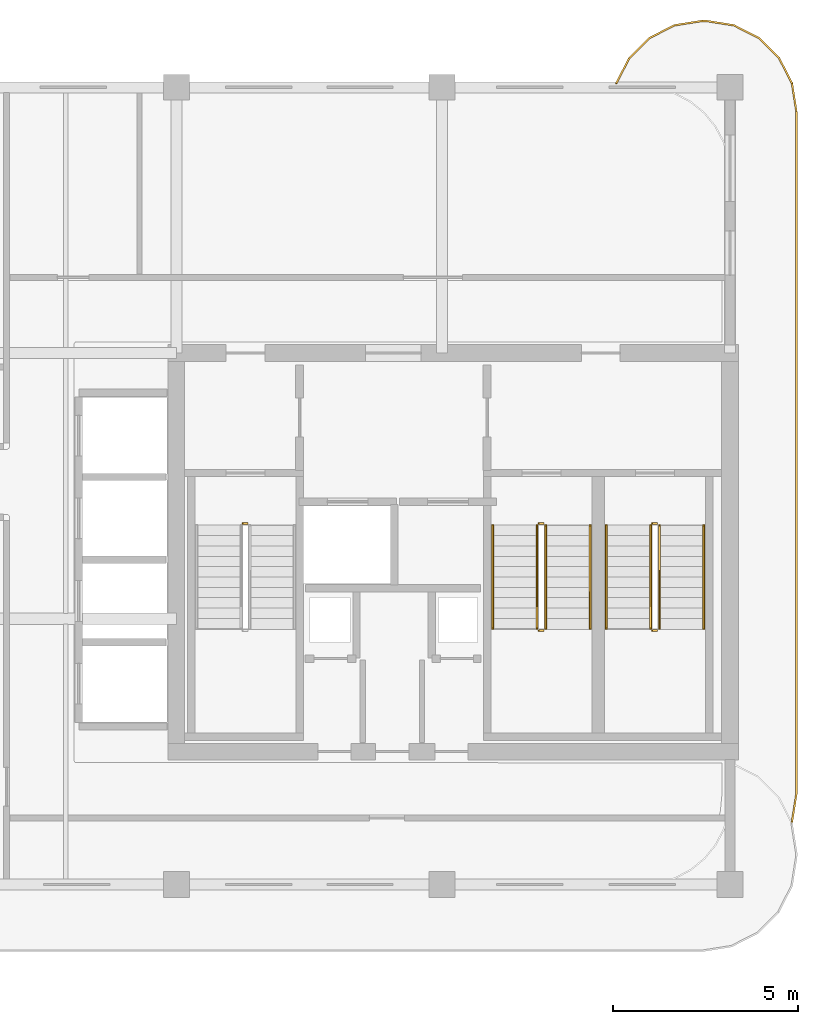
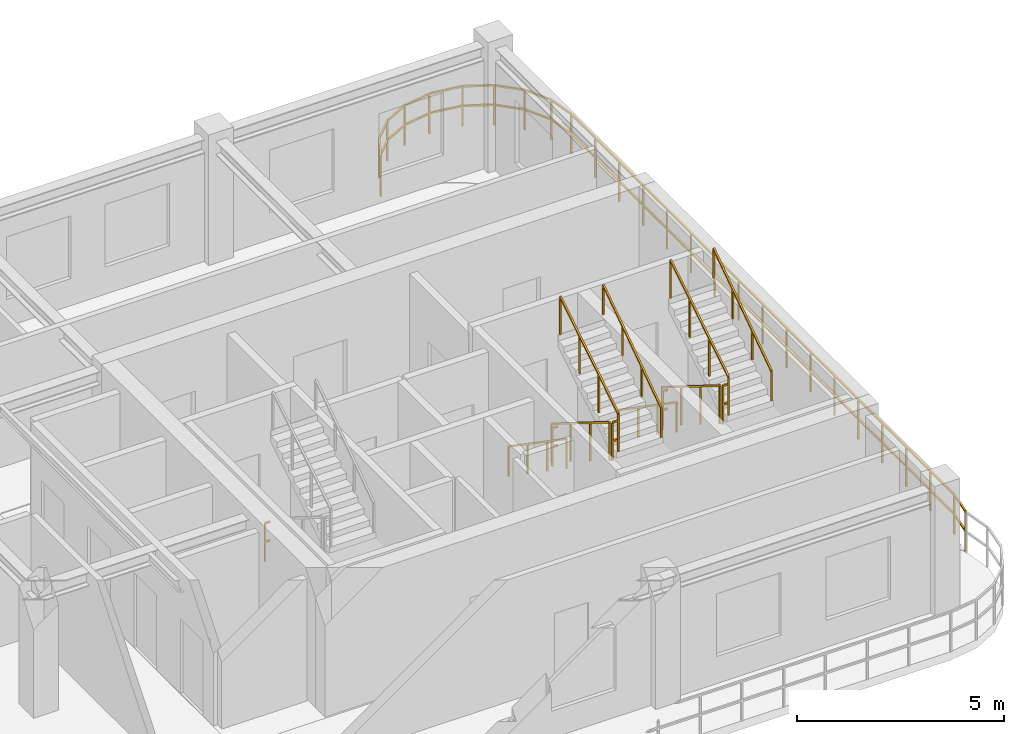
# One storey, part 7 of 7: 14 railings.
"""IFC4 building model written with IfcOpenShell, lengths in metres."""

from ifc_helpers import new_model, si_unit, derived_unit, direction, frame, origin, origin_2d, place, context, subcontext, project, spatial, rectangle, extrude, material, type_object, element, save


model = new_model("IFC4")

# Units and contexts
model_context = context("Model", 3, precision=1e-05, world=origin(), true_north=direction((0.0, 1.0)))
body_context = subcontext(model_context, "Body", "Model", "MODEL_VIEW")
ifc_project = project(units=[si_unit("LENGTHUNIT", "METRE"), si_unit("AREAUNIT", "SQUARE_METRE"), si_unit("VOLUMEUNIT", "CUBIC_METRE"), si_unit("PLANEANGLEUNIT", "RADIAN"), si_unit("MASSUNIT", "GRAM", prefix="KILO"), si_unit("THERMODYNAMICTEMPERATUREUNIT", "KELVIN"), si_unit("POWERUNIT", "WATT"), derived_unit("THERMALTRANSMITTANCEUNIT", [(si_unit("POWERUNIT", "WATT"), 1), (si_unit("AREAUNIT", "SQUARE_METRE"), -1), (si_unit("THERMODYNAMICTEMPERATUREUNIT", "KELVIN"), -1)])], contexts=[model_context])

# Site, building, storey
site_placement = place(None, origin())
site = spatial("IfcSite", under=ifc_project, at=site_placement, CompositionType="ELEMENT")
building_placement = place(site_placement, origin())
building = spatial("IfcBuilding", under=site, at=building_placement, Name="Zahravan Archway Hotel and Residences", CompositionType="ELEMENT")
storey_placement = place(building_placement, frame((0.0, 0.0, 282.75)))
storey = spatial("IfcBuildingStorey", under=building, at=storey_placement, Name="L71", CompositionType="ELEMENT", Elevation=282.75)

# Railings
ifc_material_1 = material(Name="Bronze & Laminated Glass Balustrade", Category="glass")
railing_type_1 = type_object("IfcRailingType", Name="RL-BAL-1200", PredefinedType="BALUSTRADE", material=ifc_material_1)
railing_1_placement = place(storey_placement, frame((46.719970703125, 21.70703125, 0.0)))
element("IfcRailing", 1, at=railing_1_placement, inside=storey, type_object=railing_type_1, Name="L71 Balustrade RL-SLB-BAL-L71-EA-1", PredefinedType="BALUSTRADE", context=body_context, shape_type="SweptSolid", body=[
    extrude(rectangle(XDim=0.048095703125, YDim=0.048095703125, at=origin_2d()), frame((0.0, 0.0, 1.17578125), z_axis=(0.453825591531, 0.891090529897, 0.0), x_axis=(-0.891090529897, 0.453825591531, 0.0)), (0.0, 0.0, 1.0), 0.7666015625),
    extrude(rectangle(XDim=0.048095703125, YDim=0.048095703125, at=origin_2d()), frame((0.0, 0.0, 0.60009765625), z_axis=(0.453825591531, 0.891090529897, 0.0), x_axis=(-0.891090529897, 0.453825591531, 0.0)), (0.0, 0.0, 1.0), 0.7666015625),
    extrude(rectangle(XDim=0.048095703125, YDim=0.048095703125, at=origin_2d()), frame((0.347900390625, 0.68310546875, 1.17578125), z_axis=(0.707106781187, 0.707106781187, 0.0), x_axis=(-0.707106781187, 0.707106781187, 0.0)), (0.0, 0.0, 1.0), 0.7666015625),
    extrude(rectangle(XDim=0.048095703125, YDim=0.048095703125, at=origin_2d()), frame((0.347900390625, 0.68310546875, 0.60009765625), z_axis=(0.707106781187, 0.707106781187, 0.0), x_axis=(-0.707106781187, 0.707106781187, 0.0)), (0.0, 0.0, 1.0), 0.7666015625),
    extrude(rectangle(XDim=0.048095703125, YDim=0.048095703125, at=origin_2d()), frame((0.889892578125, 1.22509765625, 1.17578125), z_axis=(0.891090529897, 0.453825591531, 0.0), x_axis=(-0.453825591531, 0.891090529897, 0.0)), (0.0, 0.0, 1.0), 0.7666015625),
    extrude(rectangle(XDim=0.048095703125, YDim=0.048095703125, at=origin_2d()), frame((0.889892578125, 1.22509765625, 0.60009765625), z_axis=(0.891090529897, 0.453825591531, 0.0), x_axis=(-0.453825591531, 0.891090529897, 0.0)), (0.0, 0.0, 1.0), 0.7666015625),
    extrude(rectangle(XDim=0.048095703125, YDim=0.048095703125, at=origin_2d()), frame((1.572998046875, 1.572998046875, 1.17578125), z_axis=(0.987695728695, 0.156387811283, 0.0), x_axis=(-0.156387811283, 0.987695728695, 0.0)), (0.0, 0.0, 1.0), 0.7666015625),
    extrude(rectangle(XDim=0.048095703125, YDim=0.048095703125, at=origin_2d()), frame((1.572998046875, 1.572998046875, 0.60009765625), z_axis=(0.987695728695, 0.156387811283, 0.0), x_axis=(-0.156387811283, 0.987695728695, 0.0)), (0.0, 0.0, 1.0), 0.7666015625),
    extrude(rectangle(XDim=0.048095703125, YDim=0.048095703125, at=origin_2d()), frame((2.330078125, 1.69287109375, 1.17578125), z_axis=(1.0, 0.0, 0.0), x_axis=(0.0, 1.0, 0.0)), (0.0, 0.0, 1.0), 0.099853515625),
    extrude(rectangle(XDim=0.048095703125, YDim=0.048095703125, at=origin_2d()), frame((2.330078125, 1.69287109375, 0.60009765625), z_axis=(1.0, 0.0, 0.0), x_axis=(0.0, 1.0, 0.0)), (0.0, 0.0, 1.0), 0.099853515625),
    extrude(rectangle(XDim=0.048095703125, YDim=0.048095703125, at=origin_2d()), frame((2.429931640625, 1.69287109375, 1.17578125), z_axis=(0.987695728695, -0.156387811283, 0.0), x_axis=(0.156387811283, 0.987695728695, 0.0)), (0.0, 0.0, 1.0), 0.7666015625),
    extrude(rectangle(XDim=0.048095703125, YDim=0.048095703125, at=origin_2d()), frame((2.429931640625, 1.69287109375, 0.60009765625), z_axis=(0.987695728695, -0.156387811283, 0.0), x_axis=(0.156387811283, 0.987695728695, 0.0)), (0.0, 0.0, 1.0), 0.7666015625),
    extrude(rectangle(XDim=0.048095703125, YDim=0.048095703125, at=origin_2d()), frame((3.18701171875, 1.572998046875, 1.17578125), z_axis=(0.891090529897, -0.453825591531, 0.0), x_axis=(0.453825591531, 0.891090529897, 0.0)), (0.0, 0.0, 1.0), 0.7666015625),
    extrude(rectangle(XDim=0.048095703125, YDim=0.048095703125, at=origin_2d()), frame((3.18701171875, 1.572998046875, 0.60009765625), z_axis=(0.891090529897, -0.453825591531, 0.0), x_axis=(0.453825591531, 0.891090529897, 0.0)), (0.0, 0.0, 1.0), 0.7666015625),
    extrude(rectangle(XDim=0.048095703125, YDim=0.048095703125, at=origin_2d()), frame((3.8701171875, 1.22509765625, 1.17578125), z_axis=(0.707106781187, -0.707106781187, 0.0), x_axis=(0.707106781187, 0.707106781187, 0.0)), (0.0, 0.0, 1.0), 0.7666015625),
    extrude(rectangle(XDim=0.048095703125, YDim=0.048095703125, at=origin_2d()), frame((3.8701171875, 1.22509765625, 0.60009765625), z_axis=(0.707106781187, -0.707106781187, 0.0), x_axis=(0.707106781187, 0.707106781187, 0.0)), (0.0, 0.0, 1.0), 0.7666015625),
    extrude(rectangle(XDim=0.048095703125, YDim=0.048095703125, at=origin_2d()), frame((4.412109375, 0.68310546875, 1.17578125), z_axis=(0.453825591531, -0.891090529897, 0.0), x_axis=(0.891090529897, 0.453825591531, 0.0)), (0.0, 0.0, 1.0), 0.7666015625),
    extrude(rectangle(XDim=0.048095703125, YDim=0.048095703125, at=origin_2d()), frame((4.412109375, 0.68310546875, 0.60009765625), z_axis=(0.453825591531, -0.891090529897, 0.0), x_axis=(0.891090529897, 0.453825591531, 0.0)), (0.0, 0.0, 1.0), 0.7666015625),
    extrude(rectangle(XDim=0.048095703125, YDim=0.048095703125, at=origin_2d()), frame((4.760009765625, 0.0, 1.17578125), z_axis=(0.156698507018, -0.987646484274, 0.0), x_axis=(0.987646484274, 0.156698507018, 0.0)), (0.0, 0.0, 1.0), 0.7666015625),
    extrude(rectangle(XDim=0.048095703125, YDim=0.048095703125, at=origin_2d()), frame((4.760009765625, 0.0, 0.60009765625), z_axis=(0.156698507018, -0.987646484274, 0.0), x_axis=(0.987646484274, 0.156698507018, 0.0)), (0.0, 0.0, 1.0), 0.7666015625),
    extrude(rectangle(XDim=0.048095703125, YDim=0.048095703125, at=origin_2d()), frame((4.880126953125, -0.757080078125, 1.17578125), z_axis=(0.0, -1.0, 0.0), x_axis=(1.0, 0.0, 0.0)), (0.0, 0.0, 1.0), 18.5),
    extrude(rectangle(XDim=0.048095703125, YDim=0.048095703125, at=origin_2d()), frame((4.880126953125, -0.757080078125, 0.60009765625), z_axis=(0.0, -1.0, 0.0), x_axis=(1.0, 0.0, 0.0)), (0.0, 0.0, 1.0), 18.5),
    extrude(rectangle(XDim=0.048095703125, YDim=0.048095703125, at=origin_2d()), frame((4.880126953125, -19.257080078125, 1.17578125), z_axis=(-0.156698507018, -0.987646484274, 0.0), x_axis=(0.987646484274, -0.156698507018, 0.0)), (0.0, 0.0, 1.0), 0.7666015625),
    extrude(rectangle(XDim=0.048095703125, YDim=0.048095703125, at=origin_2d()), frame((4.880126953125, -19.257080078125, 0.60009765625), z_axis=(-0.156698507018, -0.987646484274, 0.0), x_axis=(0.987646484274, -0.156698507018, 0.0)), (0.0, 0.0, 1.0), 0.7666015625),
    extrude(rectangle(XDim=0.0419921875, YDim=0.0419921875, at=origin_2d()), origin(), (0.0, 0.0, 1.0), 1.15185546875),
    extrude(rectangle(XDim=0.0419921875, YDim=0.0419921875, at=origin_2d()), frame((0.347900390625, 0.68310546875, 0.0)), (0.0, 0.0, 1.0), 1.15185546875),
    extrude(rectangle(XDim=0.0419921875, YDim=0.0419921875, at=origin_2d()), frame((0.889892578125, 1.22509765625, 0.0)), (0.0, 0.0, 1.0), 1.15185546875),
    extrude(rectangle(XDim=0.0419921875, YDim=0.0419921875, at=origin_2d()), frame((1.572998046875, 1.572998046875, 0.0)), (0.0, 0.0, 1.0), 1.15185546875),
    extrude(rectangle(XDim=0.0419921875, YDim=0.0419921875, at=origin_2d()), frame((2.330078125, 1.69287109375, 0.0)), (0.0, 0.0, 1.0), 1.15185546875),
    extrude(rectangle(XDim=0.0419921875, YDim=0.0419921875, at=origin_2d()), frame((3.18701171875, 1.572998046875, 0.0)), (0.0, 0.0, 1.0), 1.15185546875),
    extrude(rectangle(XDim=0.0419921875, YDim=0.0419921875, at=origin_2d()), frame((3.8701171875, 1.22509765625, 0.0)), (0.0, 0.0, 1.0), 1.15185546875),
    extrude(rectangle(XDim=0.0419921875, YDim=0.0419921875, at=origin_2d()), frame((4.412109375, 0.68310546875, 0.0)), (0.0, 0.0, 1.0), 1.15185546875),
    extrude(rectangle(XDim=0.0419921875, YDim=0.0419921875, at=origin_2d()), frame((4.760009765625, 0.0, 0.0)), (0.0, 0.0, 1.0), 1.15185546875),
    extrude(rectangle(XDim=0.0419921875, YDim=0.0419921875, at=origin_2d()), frame((4.880126953125, -0.757080078125, 0.0)), (0.0, 0.0, 1.0), 1.15185546875),
    extrude(rectangle(XDim=0.0419921875, YDim=0.0419921875, at=origin_2d()), frame((4.880126953125, -1.913330078125, 0.0)), (0.0, 0.0, 1.0), 1.15185546875),
    extrude(rectangle(XDim=0.0419921875, YDim=0.0419921875, at=origin_2d()), frame((4.880126953125, -3.069580078125, 0.0)), (0.0, 0.0, 1.0), 1.15185546875),
    extrude(rectangle(XDim=0.0419921875, YDim=0.0419921875, at=origin_2d()), frame((4.880126953125, -4.225830078125, 0.0)), (0.0, 0.0, 1.0), 1.15185546875),
    extrude(rectangle(XDim=0.0419921875, YDim=0.0419921875, at=origin_2d()), frame((4.880126953125, -5.382080078125, 0.0)), (0.0, 0.0, 1.0), 1.15185546875),
    extrude(rectangle(XDim=0.0419921875, YDim=0.0419921875, at=origin_2d()), frame((4.880126953125, -6.538330078125, 0.0)), (0.0, 0.0, 1.0), 1.15185546875),
    extrude(rectangle(XDim=0.0419921875, YDim=0.0419921875, at=origin_2d()), frame((4.880126953125, -7.694580078125, 0.0)), (0.0, 0.0, 1.0), 1.15185546875),
    extrude(rectangle(XDim=0.0419921875, YDim=0.0419921875, at=origin_2d()), frame((4.880126953125, -8.850830078125, 0.0)), (0.0, 0.0, 1.0), 1.15185546875),
    extrude(rectangle(XDim=0.0419921875, YDim=0.0419921875, at=origin_2d()), frame((4.880126953125, -10.007080078125, 0.0)), (0.0, 0.0, 1.0), 1.15185546875),
    extrude(rectangle(XDim=0.0419921875, YDim=0.0419921875, at=origin_2d()), frame((4.880126953125, -11.163330078125, 0.0)), (0.0, 0.0, 1.0), 1.15185546875),
    extrude(rectangle(XDim=0.0419921875, YDim=0.0419921875, at=origin_2d()), frame((4.880126953125, -12.319580078125, 0.0)), (0.0, 0.0, 1.0), 1.15185546875),
    extrude(rectangle(XDim=0.0419921875, YDim=0.0419921875, at=origin_2d()), frame((4.880126953125, -13.475830078125, 0.0)), (0.0, 0.0, 1.0), 1.15185546875),
    extrude(rectangle(XDim=0.0419921875, YDim=0.0419921875, at=origin_2d()), frame((4.880126953125, -14.632080078125, 0.0)), (0.0, 0.0, 1.0), 1.15185546875),
    extrude(rectangle(XDim=0.0419921875, YDim=0.0419921875, at=origin_2d()), frame((4.880126953125, -15.788330078125, 0.0)), (0.0, 0.0, 1.0), 1.15185546875),
    extrude(rectangle(XDim=0.0419921875, YDim=0.0419921875, at=origin_2d()), frame((4.880126953125, -16.944580078125, 0.0)), (0.0, 0.0, 1.0), 1.15185546875),
    extrude(rectangle(XDim=0.0419921875, YDim=0.0419921875, at=origin_2d()), frame((4.880126953125, -18.100830078125, 0.0)), (0.0, 0.0, 1.0), 1.15185546875),
    extrude(rectangle(XDim=0.0419921875, YDim=0.0419921875, at=origin_2d()), frame((4.880126953125, -19.257080078125, 0.0)), (0.0, 0.0, 1.0), 1.15185546875),
    extrude(rectangle(XDim=0.0419921875, YDim=0.0419921875, at=origin_2d()), frame((4.760009765625, -20.01416015625, 0.0)), (0.0, 0.0, 1.0), 1.15185546875),
])
ifc_material_2 = material(Name="Painted Tubular Steel", Category="steel")
railing_type_2 = type_object("IfcRailingType", Name="RL-STG-1150", PredefinedType="GUARDRAIL", material=ifc_material_2)
railing_2_placement = place(storey_placement, frame((36.60009765625, 9.780029296875, 0.0)))
element("IfcRailing", 2, at=railing_2_placement, inside=storey, type_object=railing_type_2, Name="L71 ST-A1 stair guard 4", PredefinedType="GUARDRAIL", context=body_context, shape_type="SweptSolid", body=[
    extrude(rectangle(XDim=0.048095703125, YDim=0.048095703125, at=origin_2d()), frame((0.0, 0.0, 1.1259765625), z_axis=(1.0, 0.0, 0.0), x_axis=(0.0, 1.0, 0.0)), (0.0, 0.0, 1.0), 0.139892578125),
    extrude(rectangle(XDim=0.048095703125, YDim=0.048095703125, at=origin_2d()), frame((0.0, 0.0, 0.574951171875), z_axis=(1.0, 0.0, 0.0), x_axis=(0.0, 1.0, 0.0)), (0.0, 0.0, 1.0), 0.139892578125),
    extrude(rectangle(XDim=0.0419921875, YDim=0.0419921875, at=origin_2d()), origin(), (0.0, 0.0, 1.0), 1.101806640625),
])
railing_3_placement = place(storey_placement, frame((44.570068359375, 9.72998046875, 0.175048828125)))
element("IfcRailing", 3, at=railing_3_placement, inside=storey, type_object=railing_type_2, Name="L71 ST-A2 stair guard 1", PredefinedType="GUARDRAIL", context=body_context, shape_type="SweptSolid", body=[
    extrude(rectangle(XDim=0.048095703125, YDim=0.048095703125, at=origin_2d()), frame((0.0, 0.0, 1.1259765625), z_axis=(0.0, -0.848002457836, 0.529992293815), x_axis=(1.0, 0.0, 0.0)), (0.0, 0.0, 1.0), 3.302001953125),
    extrude(rectangle(XDim=0.0419921875, YDim=0.0419921875, at=origin_2d()), origin(), (0.0, 0.0, 1.0), 1.101806640625),
    extrude(rectangle(XDim=0.0419921875, YDim=0.0419921875, at=origin_2d()), frame((0.0, -0.933349609375, 0.583251953125)), (0.0, 0.0, 1.0), 1.101806640625),
    extrude(rectangle(XDim=0.0419921875, YDim=0.0419921875, at=origin_2d()), frame((0.0, -1.86669921875, 1.166748046875)), (0.0, 0.0, 1.0), 1.101806640625),
    extrude(rectangle(XDim=0.0419921875, YDim=0.0419921875, at=origin_2d()), frame((0.0, -2.800048828125, 1.75)), (0.0, 0.0, 1.0), 1.101806640625),
])
railing_4_placement = place(storey_placement, frame((44.6201171875, 6.8798828125, 1.925048828125)))
element("IfcRailing", 4, at=railing_4_placement, inside=storey, type_object=railing_type_2, Name="L71 ST-A2 stair guard 2", PredefinedType="GUARDRAIL", context=body_context, shape_type="SweptSolid", body=[
    extrude(rectangle(XDim=0.048095703125, YDim=0.048095703125, at=origin_2d()), frame((0.0, 0.0, 1.1259765625), z_axis=(1.0, 0.0, 0.0), x_axis=(0.0, 1.0, 0.0)), (0.0, 0.0, 1.0), 0.139892578125),
    extrude(rectangle(XDim=0.048095703125, YDim=0.048095703125, at=origin_2d()), frame((0.0, 0.0, 0.574951171875), z_axis=(1.0, 0.0, 0.0), x_axis=(0.0, 1.0, 0.0)), (0.0, 0.0, 1.0), 0.139892578125),
    extrude(rectangle(XDim=0.0419921875, YDim=0.0419921875, at=origin_2d()), origin(), (0.0, 0.0, 1.0), 1.101806640625),
])
railing_5_placement = place(storey_placement, frame((44.81005859375, 6.929931640625, 2.10009765625)))
element("IfcRailing", 5, at=railing_5_placement, inside=storey, type_object=railing_type_2, Name="L71 ST-A2 stair guard 3", PredefinedType="GUARDRAIL", context=body_context, shape_type="SweptSolid", body=[
    extrude(rectangle(XDim=0.048095703125, YDim=0.048095703125, at=origin_2d()), frame((0.0, 0.0, 1.1259765625), z_axis=(0.0, 0.848002457836, 0.529992293815), x_axis=(-1.0, 0.0, 0.0)), (0.0, 0.0, 1.0), 3.302001953125),
    extrude(rectangle(XDim=0.0419921875, YDim=0.0419921875, at=origin_2d()), origin(), (0.0, 0.0, 1.0), 1.101806640625),
    extrude(rectangle(XDim=0.0419921875, YDim=0.0419921875, at=origin_2d()), frame((0.0, 0.933349609375, 0.583251953125)), (0.0, 0.0, 1.0), 1.101806640625),
    extrude(rectangle(XDim=0.0419921875, YDim=0.0419921875, at=origin_2d()), frame((0.0, 1.86669921875, 1.166748046875)), (0.0, 0.0, 1.0), 1.101806640625),
    extrude(rectangle(XDim=0.0419921875, YDim=0.0419921875, at=origin_2d()), frame((0.0, 2.800048828125, 1.75)), (0.0, 0.0, 1.0), 1.101806640625),
])
railing_6_placement = place(storey_placement, frame((44.6201171875, 9.780029296875, 0.0)))
element("IfcRailing", 6, at=railing_6_placement, inside=storey, type_object=railing_type_2, Name="L71 ST-A2 stair guard 4", PredefinedType="GUARDRAIL", context=body_context, shape_type="SweptSolid", body=[
    extrude(rectangle(XDim=0.048095703125, YDim=0.048095703125, at=origin_2d()), frame((0.0, 0.0, 1.1259765625), z_axis=(1.0, 0.0, 0.0), x_axis=(0.0, 1.0, 0.0)), (0.0, 0.0, 1.0), 0.139892578125),
    extrude(rectangle(XDim=0.048095703125, YDim=0.048095703125, at=origin_2d()), frame((0.0, 0.0, 0.574951171875), z_axis=(1.0, 0.0, 0.0), x_axis=(0.0, 1.0, 0.0)), (0.0, 0.0, 1.0), 0.139892578125),
    extrude(rectangle(XDim=0.0419921875, YDim=0.0419921875, at=origin_2d()), origin(), (0.0, 0.0, 1.0), 1.101806640625),
])
railing_7_placement = place(storey_placement, frame((47.64990234375, 9.72998046875, 0.175048828125)))
element("IfcRailing", 7, at=railing_7_placement, inside=storey, type_object=railing_type_2, Name="L71 ST-A3 stair guard 1", PredefinedType="GUARDRAIL", context=body_context, shape_type="SweptSolid", body=[
    extrude(rectangle(XDim=0.048095703125, YDim=0.048095703125, at=origin_2d()), frame((0.0, 0.0, 1.1259765625), z_axis=(0.0, -0.848002457836, 0.529992293815), x_axis=(1.0, 0.0, 0.0)), (0.0, 0.0, 1.0), 3.302001953125),
    extrude(rectangle(XDim=0.0419921875, YDim=0.0419921875, at=origin_2d()), origin(), (0.0, 0.0, 1.0), 1.101806640625),
    extrude(rectangle(XDim=0.0419921875, YDim=0.0419921875, at=origin_2d()), frame((0.0, -0.933349609375, 0.583251953125)), (0.0, 0.0, 1.0), 1.101806640625),
    extrude(rectangle(XDim=0.0419921875, YDim=0.0419921875, at=origin_2d()), frame((0.0, -1.86669921875, 1.166748046875)), (0.0, 0.0, 1.0), 1.101806640625),
    extrude(rectangle(XDim=0.0419921875, YDim=0.0419921875, at=origin_2d()), frame((0.0, -2.800048828125, 1.75)), (0.0, 0.0, 1.0), 1.101806640625),
])
railing_8_placement = place(storey_placement, frame((47.699951171875, 6.8798828125, 1.925048828125)))
element("IfcRailing", 8, at=railing_8_placement, inside=storey, type_object=railing_type_2, Name="L71 ST-A3 stair guard 2", PredefinedType="GUARDRAIL", context=body_context, shape_type="SweptSolid", body=[
    extrude(rectangle(XDim=0.048095703125, YDim=0.048095703125, at=origin_2d()), frame((0.0, 0.0, 1.1259765625), z_axis=(1.0, 0.0, 0.0), x_axis=(0.0, 1.0, 0.0)), (0.0, 0.0, 1.0), 0.14013671875),
    extrude(rectangle(XDim=0.048095703125, YDim=0.048095703125, at=origin_2d()), frame((0.0, 0.0, 0.574951171875), z_axis=(1.0, 0.0, 0.0), x_axis=(0.0, 1.0, 0.0)), (0.0, 0.0, 1.0), 0.14013671875),
    extrude(rectangle(XDim=0.0419921875, YDim=0.0419921875, at=origin_2d()), origin(), (0.0, 0.0, 1.0), 1.101806640625),
])
railing_9_placement = place(storey_placement, frame((47.889892578125, 6.929931640625, 2.10009765625)))
element("IfcRailing", 9, at=railing_9_placement, inside=storey, type_object=railing_type_2, Name="L71 ST-A3 stair guard 3", PredefinedType="GUARDRAIL", context=body_context, shape_type="SweptSolid", body=[
    extrude(rectangle(XDim=0.048095703125, YDim=0.048095703125, at=origin_2d()), frame((0.0, 0.0, 1.1259765625), z_axis=(0.0, 0.848002457836, 0.529992293815), x_axis=(-1.0, 0.0, 0.0)), (0.0, 0.0, 1.0), 3.302001953125),
    extrude(rectangle(XDim=0.0419921875, YDim=0.0419921875, at=origin_2d()), origin(), (0.0, 0.0, 1.0), 1.101806640625),
    extrude(rectangle(XDim=0.0419921875, YDim=0.0419921875, at=origin_2d()), frame((0.0, 0.933349609375, 0.583251953125)), (0.0, 0.0, 1.0), 1.101806640625),
    extrude(rectangle(XDim=0.0419921875, YDim=0.0419921875, at=origin_2d()), frame((0.0, 1.86669921875, 1.166748046875)), (0.0, 0.0, 1.0), 1.101806640625),
    extrude(rectangle(XDim=0.0419921875, YDim=0.0419921875, at=origin_2d()), frame((0.0, 2.800048828125, 1.75)), (0.0, 0.0, 1.0), 1.101806640625),
])
railing_10_placement = place(storey_placement, frame((47.699951171875, 9.780029296875, 0.0)))
element("IfcRailing", 10, at=railing_10_placement, inside=storey, type_object=railing_type_2, Name="L71 ST-A3 stair guard 4", PredefinedType="GUARDRAIL", context=body_context, shape_type="SweptSolid", body=[
    extrude(rectangle(XDim=0.048095703125, YDim=0.048095703125, at=origin_2d()), frame((0.0, 0.0, 1.1259765625), z_axis=(1.0, 0.0, 0.0), x_axis=(0.0, 1.0, 0.0)), (0.0, 0.0, 1.0), 0.14013671875),
    extrude(rectangle(XDim=0.048095703125, YDim=0.048095703125, at=origin_2d()), frame((0.0, 0.0, 0.574951171875), z_axis=(1.0, 0.0, 0.0), x_axis=(0.0, 1.0, 0.0)), (0.0, 0.0, 1.0), 0.14013671875),
    extrude(rectangle(XDim=0.0419921875, YDim=0.0419921875, at=origin_2d()), origin(), (0.0, 0.0, 1.0), 1.101806640625),
])
ifc_material_3 = material(Name="Brushed Stainless Steel", Category="steel")
railing_type_3 = type_object("IfcRailingType", Name="RL-STH-900", PredefinedType="HANDRAIL", material=ifc_material_3)
railing_11_placement = place(storey_placement, frame((43.3701171875, 9.72998046875, 0.175048828125)))
element("IfcRailing", 11, at=railing_11_placement, inside=storey, type_object=railing_type_3, Name="L71 ST-A2 stair handrail 1", PredefinedType="HANDRAIL", context=body_context, shape_type="SweptSolid", body=[
    extrude(rectangle(XDim=0.048095703125, YDim=0.048095703125, at=origin_2d()), frame((0.0, 0.0, 0.8759765625), z_axis=(0.0, -0.824039827795, 0.566531872191), x_axis=(1.0, 0.0, 0.0)), (0.0, 0.0, 1.0), 3.39794921875),
    extrude(rectangle(XDim=0.0419921875, YDim=0.0419921875, at=origin_2d()), origin(), (0.0, 0.0, 1.0), 0.851806640625),
    extrude(rectangle(XDim=0.0419921875, YDim=0.0419921875, at=origin_2d()), frame((0.0, -0.933349609375, 0.6416015625)), (0.0, 0.0, 1.0), 0.851806640625),
    extrude(rectangle(XDim=0.0419921875, YDim=0.0419921875, at=origin_2d()), frame((0.0, -1.86669921875, 1.283447265625)), (0.0, 0.0, 1.0), 0.851806640625),
    extrude(rectangle(XDim=0.0419921875, YDim=0.0419921875, at=origin_2d()), frame((0.0, -2.800048828125, 1.925048828125)), (0.0, 0.0, 1.0), 0.851806640625),
])
railing_12_placement = place(storey_placement, frame((46.010009765625, 6.929931640625, 2.10009765625)))
element("IfcRailing", 12, at=railing_12_placement, inside=storey, type_object=railing_type_3, Name="L71 ST-A2 stair handrail 2", PredefinedType="HANDRAIL", context=body_context, shape_type="SweptSolid", body=[
    extrude(rectangle(XDim=0.048095703125, YDim=0.048095703125, at=origin_2d()), frame((0.0, 0.0, 0.8759765625), z_axis=(0.0, 0.824073370198, 0.566483080534), x_axis=(-1.0, 0.0, 0.0)), (0.0, 0.0, 1.0), 3.397705078125),
    extrude(rectangle(XDim=0.0419921875, YDim=0.0419921875, at=origin_2d()), origin(), (0.0, 0.0, 1.0), 0.851806640625),
    extrude(rectangle(XDim=0.0419921875, YDim=0.0419921875, at=origin_2d()), frame((0.0, 0.933349609375, 0.6416015625)), (0.0, 0.0, 1.0), 0.851806640625),
    extrude(rectangle(XDim=0.0419921875, YDim=0.0419921875, at=origin_2d()), frame((0.0, 1.86669921875, 1.283203125)), (0.0, 0.0, 1.0), 0.851806640625),
    extrude(rectangle(XDim=0.0419921875, YDim=0.0419921875, at=origin_2d()), frame((0.0, 2.800048828125, 1.9248046875)), (0.0, 0.0, 1.0), 0.851806640625),
])
railing_13_placement = place(storey_placement, frame((46.449951171875, 9.72998046875, 0.175048828125)))
element("IfcRailing", 13, at=railing_13_placement, inside=storey, type_object=railing_type_3, Name="L71 ST-A3 stair handrail 1", PredefinedType="HANDRAIL", context=body_context, shape_type="SweptSolid", body=[
    extrude(rectangle(XDim=0.048095703125, YDim=0.048095703125, at=origin_2d()), frame((0.0, 0.0, 0.8759765625), z_axis=(0.0, -0.824039827795, 0.566531872191), x_axis=(1.0, 0.0, 0.0)), (0.0, 0.0, 1.0), 3.39794921875),
    extrude(rectangle(XDim=0.0419921875, YDim=0.0419921875, at=origin_2d()), origin(), (0.0, 0.0, 1.0), 0.851806640625),
    extrude(rectangle(XDim=0.0419921875, YDim=0.0419921875, at=origin_2d()), frame((0.0, -0.933349609375, 0.6416015625)), (0.0, 0.0, 1.0), 0.851806640625),
    extrude(rectangle(XDim=0.0419921875, YDim=0.0419921875, at=origin_2d()), frame((0.0, -1.86669921875, 1.283447265625)), (0.0, 0.0, 1.0), 0.851806640625),
    extrude(rectangle(XDim=0.0419921875, YDim=0.0419921875, at=origin_2d()), frame((0.0, -2.800048828125, 1.925048828125)), (0.0, 0.0, 1.0), 0.851806640625),
])
railing_14_placement = place(storey_placement, frame((49.090087890625, 6.929931640625, 2.10009765625)))
element("IfcRailing", 14, at=railing_14_placement, inside=storey, type_object=railing_type_3, Name="L71 ST-A3 stair handrail 2", PredefinedType="HANDRAIL", context=body_context, shape_type="SweptSolid", body=[
    extrude(rectangle(XDim=0.048095703125, YDim=0.048095703125, at=origin_2d()), frame((0.0, 0.0, 0.8759765625), z_axis=(0.0, 0.824073370198, 0.566483080534), x_axis=(-1.0, 0.0, 0.0)), (0.0, 0.0, 1.0), 3.397705078125),
    extrude(rectangle(XDim=0.0419921875, YDim=0.0419921875, at=origin_2d()), origin(), (0.0, 0.0, 1.0), 0.851806640625),
    extrude(rectangle(XDim=0.0419921875, YDim=0.0419921875, at=origin_2d()), frame((0.0, 0.933349609375, 0.6416015625)), (0.0, 0.0, 1.0), 0.851806640625),
    extrude(rectangle(XDim=0.0419921875, YDim=0.0419921875, at=origin_2d()), frame((0.0, 1.86669921875, 1.283203125)), (0.0, 0.0, 1.0), 0.851806640625),
    extrude(rectangle(XDim=0.0419921875, YDim=0.0419921875, at=origin_2d()), frame((0.0, 2.800048828125, 1.9248046875)), (0.0, 0.0, 1.0), 0.851806640625),
])

save(model, "model.ifc")
